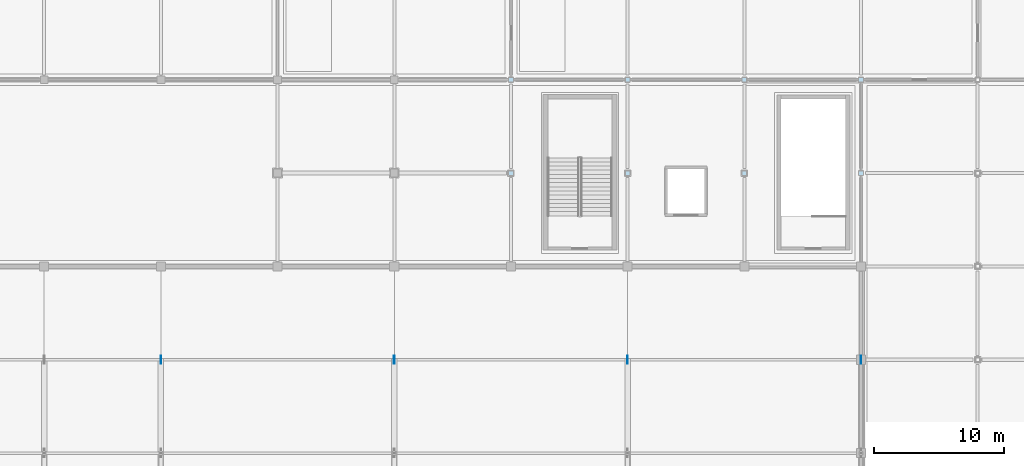
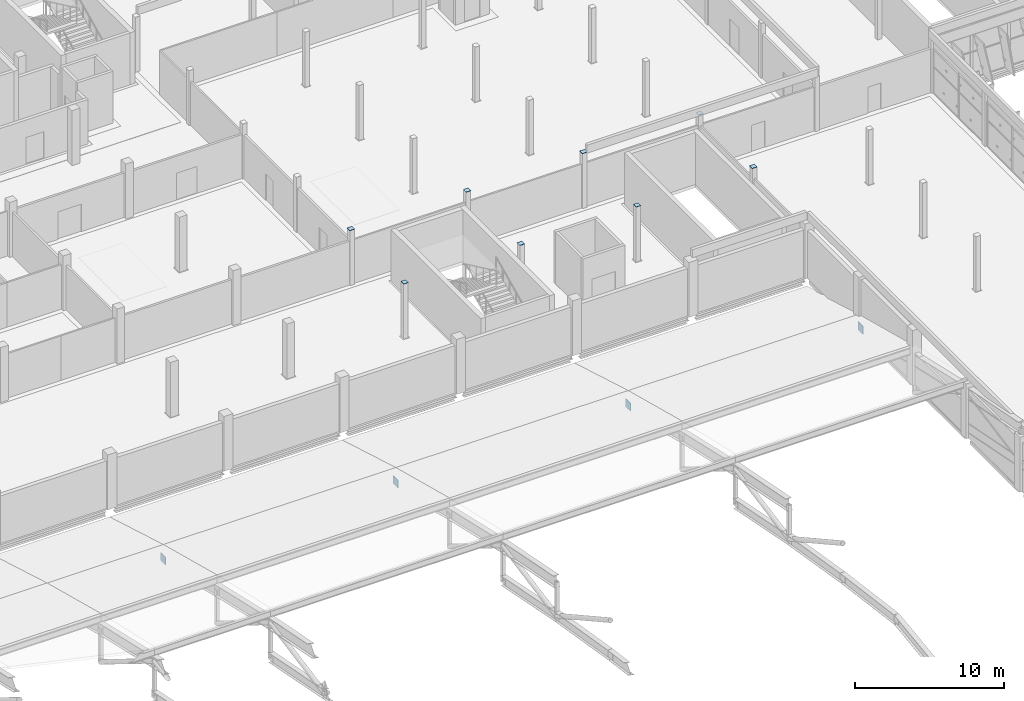
# One storey, part 88 of 124: 12 plates.
"""IFC4 building model written with IfcOpenShell, lengths in metres."""

from ifc_helpers import new_model, si_unit, direction, frame, origin, origin_2d, place, context, subcontext, project, spatial, rectangle, extrude, material, layer, layer_set, type_object, element, save


model = new_model("IFC4")

# Units and contexts
model_context = context("Model", 3, precision=1e-05, world=origin(), true_north=direction((0.0, 1.0)))
body_context = subcontext(model_context, "Body", "Model", "MODEL_VIEW")
ifc_project = project(units=[si_unit("LENGTHUNIT", "METRE"), si_unit("AREAUNIT", "SQUARE_METRE"), si_unit("VOLUMEUNIT", "CUBIC_METRE"), si_unit("PLANEANGLEUNIT", "RADIAN"), si_unit("MASSUNIT", "GRAM", prefix="KILO")], contexts=[model_context])

# Site, building, storey
site_placement = place(None, origin())
site = spatial("IfcSite", under=ifc_project, at=site_placement, CompositionType="ELEMENT")
building_placement = place(site_placement, origin())
building = spatial("IfcBuilding", under=site, at=building_placement, Name="Celestram Park Convention Centre", CompositionType="ELEMENT")
storey_placement = place(building_placement, frame((0.0, 0.0, 15.300048828125)))
storey = spatial("IfcBuildingStorey", under=building, at=storey_placement, Name="L03", CompositionType="ELEMENT", Elevation=15.300048828125)

# Plates
ifc_material = material(Name="Steel ASTM A572 Grade 50", Category="steel")
ifc_layer_1 = layer(ifc_material, 0.02490234375)
ifc_layer_set_1 = layer_set([ifc_layer_1], Name="Steel ASTM A572 Grade 50")
plate_type_1 = type_object("IfcPlateType", Name="STR-PLT-EC350", PredefinedType="USERDEFINED", material=ifc_layer_set_1)
for number, where, z_axis, x_axis, name in (
    (1, (99.0, 115.199951171875, 4.49951171875), (0.0, 0.0, 1.0), (1.0, 0.0, 0.0), "HSS column end closure cap plate EC-L03-047"),
    (2, (99.0, 122.39990234375, 4.49951171875), (0.0, 0.0, 1.0), (1.0, 0.0, 0.0), "HSS column end closure cap plate EC-L03-048"),
    (3, (108.0, 115.199951171875, 4.49951171875), (0.0, 0.0, 1.0), (1.0, 0.0, 0.0), "HSS column end closure cap plate EC-L03-062"),
    (4, (108.0, 122.39990234375, 4.49951171875), (0.0, 0.0, 1.0), (1.0, 0.0, 0.0), "HSS column end closure cap plate EC-L03-063"),
    (5, (117.0, 115.199951171875, 4.49951171875), (0.0, 0.0, 1.0), (1.0, 0.0, 0.0), "HSS column end closure cap plate EC-L03-071"),
    (6, (117.0, 122.39990234375, 4.49951171875), (0.0, 0.0, 1.0), (1.0, 0.0, 0.0), "HSS column end closure cap plate EC-L03-072"),
    (7, (126.0, 115.199951171875, 4.49951171875), (0.0, 0.0, 1.0), (1.0, 0.0, 0.0), "HSS column end closure cap plate EC-L03-079"),
    (8, (126.0, 122.39990234375, 4.49951171875), (0.0, 0.0, 1.0), (1.0, 0.0, 0.0), "HSS column end closure cap plate EC-L03-080"),
):
    element("IfcPlate", number, at=place(storey_placement, frame(where, z_axis=z_axis, x_axis=x_axis)), inside=storey, type_object=plate_type_1, Name=name, ObjectType="GUSSET_PLATE", PredefinedType="USERDEFINED", context=body_context, shape_type="SweptSolid", body=[
        extrude(rectangle(XDim=0.3701171875, YDim=0.3701171875, at=origin_2d()), origin(), (0.0, 0.0, 1.0), 0.02490234375),
    ])
ifc_layer_2 = layer(ifc_material, 0.050048828125)
ifc_layer_set_2 = layer_set([ifc_layer_2], Name="Steel ASTM A572 Grade 50")
plate_type_2 = type_object("IfcPlateType", Name="STR-PLT-GP50", PredefinedType="USERDEFINED", material=ifc_layer_set_2)
for number, where, z_axis, x_axis, name in (
    (9, (72.0, 100.800048828125, -0.2880859375), (0.0, 0.0, 1.0), (0.0, 1.0, 0.0), "V1 truss node gusset plate"),
    (10, (90.0, 100.800048828125, -0.2880859375), (0.0, 0.0, 1.0), (0.0, 1.0, 0.0), "V1 truss node gusset plate"),
    (11, (108.0, 100.800048828125, -0.2880859375), (0.0, 0.0, 1.0), (0.0, 1.0, 0.0), "V1 truss node gusset plate"),
    (12, (126.0, 100.800048828125, -0.2880859375), (0.0, 0.0, 1.0), (0.0, 1.0, 0.0), "V1 truss node gusset plate"),
):
    element("IfcPlate", number, at=place(storey_placement, frame(where, z_axis=z_axis, x_axis=x_axis)), inside=storey, type_object=plate_type_2, Name=name, ObjectType="GUSSET_PLATE", PredefinedType="USERDEFINED", context=body_context, shape_type="SweptSolid", body=[
        extrude(rectangle(XDim=0.64990234375, YDim=0.050048828125, at=origin_2d()), origin(), (0.0, 0.0, 1.0), 0.64990234375),
    ])

save(model, "model.ifc")
